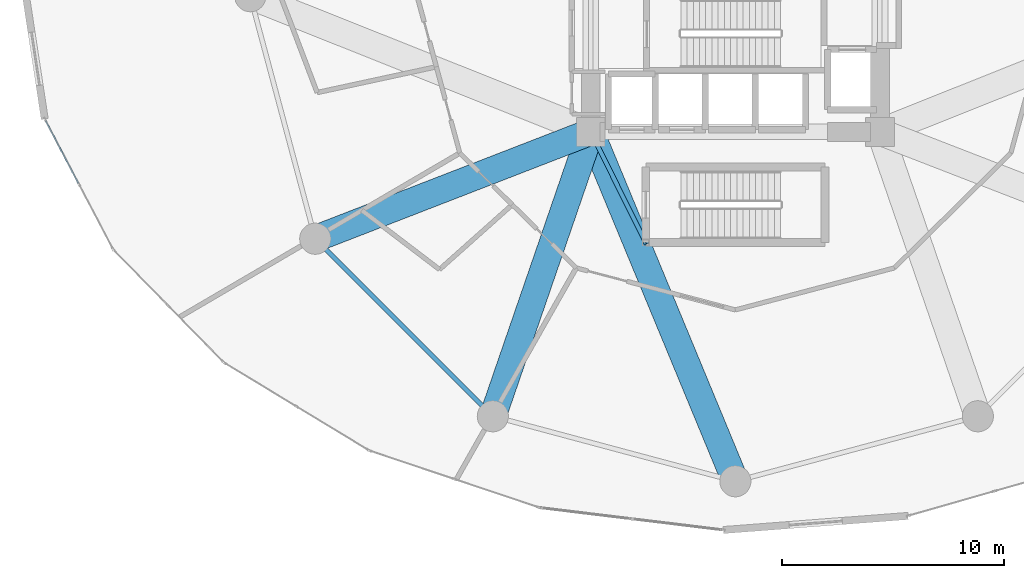
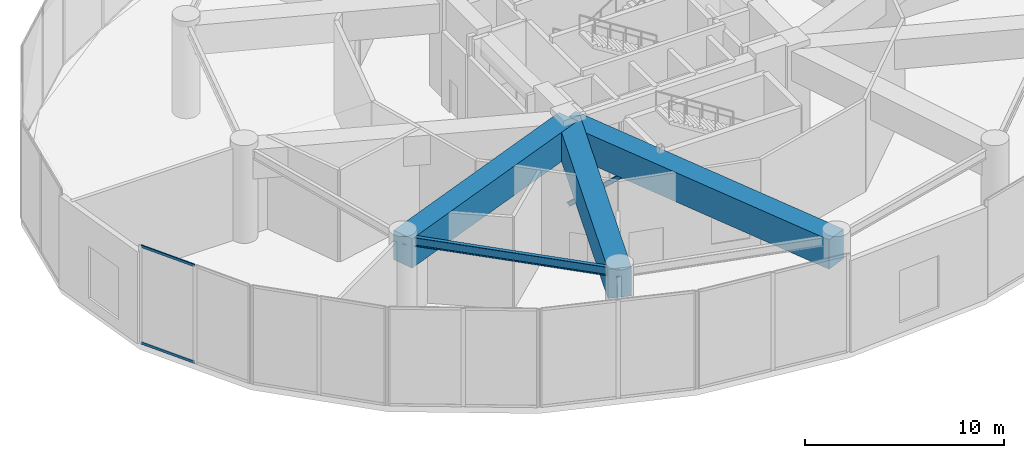
# One storey, part 6 of 28: 4 beams, 3 members, 1 element without a shape of its own.
"""IFC4 building model written with IfcOpenShell, lengths in metres."""

from ifc_helpers import new_model, si_unit, direction, frame, origin, origin_2d, place, context, subcontext, project, spatial, rectangle, hollow_rectangle, i_section, extrude, source, transform, mapped, material, layer, layer_set, material_profile, profile_set, type_object, element, aggregate, save


model = new_model("IFC4")

# Units and contexts
model_context = context("Model", 3, precision=1e-05, world=origin(), true_north=direction((0.0, 1.0)))
body_context = subcontext(model_context, "Body", "Model", "MODEL_VIEW")
ifc_project = project(units=[si_unit("LENGTHUNIT", "METRE"), si_unit("AREAUNIT", "SQUARE_METRE"), si_unit("VOLUMEUNIT", "CUBIC_METRE"), si_unit("PLANEANGLEUNIT", "RADIAN"), si_unit("MASSUNIT", "GRAM", prefix="KILO")], contexts=[model_context])

# Site, building, storey
site_placement = place(None, origin())
site = spatial("IfcSite", under=ifc_project, at=site_placement, CompositionType="ELEMENT")
building_placement = place(site_placement, origin())
building = spatial("IfcBuilding", under=site, at=building_placement, Name="Solvirekh Grand Hotel", CompositionType="ELEMENT")
storey_placement = place(building_placement, frame((0.0, 0.0, 12.60009765625)))
storey = spatial("IfcBuildingStorey", under=building, at=storey_placement, Name="L02", CompositionType="ELEMENT", Elevation=12.60009765625)

# Beam
ifc_material_1 = material(Name="Steel S355", Category="steel")
ifc_material_profile_1 = material_profile(ifc_material_1, i_section(OverallWidth=0.208984375, OverallDepth=0.532958984375, WebThickness=0.010009765625, FlangeThickness=0.014892578125, FilletRadius=0.013916015625, at=origin_2d()), Name="W530X92")
ifc_profile_set_1 = profile_set([ifc_material_profile_1], Name="Steel S355")
beam_type_1 = type_object("IfcBeamType", Name="Spandrel_Ring_W530", PredefinedType="SPANDREL", material=ifc_profile_set_1)
beam_1_placement = place(storey_placement, frame((-18.87890625, -10.89990234375, 5.372802734375), z_axis=(0.707106781187, -0.707106781187, 0.0), x_axis=(0.707106781187, 0.707106781187, 0.0)))
element("IfcBeam", 1, at=beam_1_placement, inside=storey, type_object=beam_type_1, Name="L02 perimeter spandrel beam 8", PredefinedType="SPANDREL", context=body_context, shape_type="SweptSolid", body=[
    extrude(i_section(OverallWidth=0.208984375, OverallDepth=0.532958984375, WebThickness=0.010009765625, FlangeThickness=0.014892578125, FilletRadius=0.013916015625, at=origin_2d()), origin(), (0.0, 0.0, 1.0), 11.283935546875),
])

# Member
ifc_material_profile_2 = material_profile(ifc_material_1, i_section(OverallWidth=0.201904296875, OverallDepth=0.2470703125, WebThickness=0.007080078125, FlangeThickness=0.010986328125, FilletRadius=0.010009765625, at=origin_2d()), Name="W250X49")
ifc_profile_set_2 = profile_set([ifc_material_profile_2], Name="Steel S355")
member_type_1 = type_object("IfcMemberType", Name="Stringer_Feature_W250", PredefinedType="STRINGER", material=ifc_profile_set_2)
member_1_placement = place(storey_placement, frame((-6.5, -6.10009765625, 0.25), z_axis=(0.32523530124, -0.653710764783, 0.683289276101), x_axis=(0.895312965643, 0.445437642719, 0.0)))
element("IfcMember", 2, at=member_1_placement, inside=storey, type_object=member_type_1, Name="L02 podium stair ST-3 steel stringer", PredefinedType="STRINGER", context=body_context, shape_type="SweptSolid", body=[
    extrude(i_section(OverallWidth=0.201904296875, OverallDepth=0.2470703125, WebThickness=0.007080078125, FlangeThickness=0.010986328125, FilletRadius=0.010009765625, at=origin_2d()), origin(), (0.0, 0.0, 1.0), 7.610107421875),
])

# Beams
ifc_material_2 = material(Name="Concrete C60/75", Category="concrete")
ifc_material_profile_3 = material_profile(ifc_material_2, rectangle(XDim=1.199951171875, YDim=1.800048828125, at=origin_2d()), Name="RC GIRDER 1200X1800")
ifc_profile_set_3 = profile_set([ifc_material_profile_3], Name="Concrete C60/75")
beam_type_2 = type_object("IfcBeamType", Name="TransferGirder_RC1800", PredefinedType="USERDEFINED", material=ifc_profile_set_3)
beam_2_placement = place(storey_placement, frame((-6.5, -6.10009765625, 4.739990234375), z_axis=(-0.932365862704, -0.361516110381, 0.0), x_axis=(0.361516110381, -0.932365862704, 0.0)))
element("IfcBeam", 3, at=beam_2_placement, inside=storey, type_object=beam_type_2, Name="L02 radial transfer girder 8", ObjectType="TRANSFER GIRDER", PredefinedType="USERDEFINED", context=body_context, shape_type="SweptSolid", body=[
    extrude(rectangle(XDim=1.199951171875, YDim=1.800048828125, at=origin_2d()), origin(), (0.0, 0.0, 1.0), 13.27685546875),
])
beam_3_placement = place(storey_placement, frame((-6.5, -6.10009765625, 4.739990234375), z_axis=(-0.325555300394, -0.94552300151, 0.0), x_axis=(0.94552300151, -0.325555300394, 0.0)))
element("IfcBeam", 4, at=beam_3_placement, inside=storey, type_object=beam_type_2, Name="L02 radial transfer girder 9", ObjectType="TRANSFER GIRDER", PredefinedType="USERDEFINED", context=body_context, shape_type="SweptSolid", body=[
    extrude(rectangle(XDim=1.199951171875, YDim=1.800048828125, at=origin_2d()), origin(), (0.0, 0.0, 1.0), 13.51513671875),
])
beam_4_placement = place(storey_placement, frame((-6.5, -6.10009765625, 4.739990234375), z_axis=(0.382526065589, -0.923944700264, 0.0), x_axis=(0.923944700264, 0.382526065589, 0.0)))
element("IfcBeam", 5, at=beam_4_placement, inside=storey, type_object=beam_type_2, Name="L02 radial transfer girder 10", ObjectType="TRANSFER GIRDER", PredefinedType="USERDEFINED", context=body_context, shape_type="SweptSolid", body=[
    extrude(rectangle(XDim=1.199951171875, YDim=1.800048828125, at=origin_2d()), origin(), (0.0, 0.0, 1.0), 16.9921875),
])

# Curtain wall, members
ifc_material_3 = material(Name="Anodized Bronze Aluminium 6063-T6", Category="aluminium")
ifc_layer = layer(ifc_material_3, 0.219970703125)
ifc_layer_set = layer_set([ifc_layer], Name="Anodized Bronze Aluminium 6063-T6")
curtain_wall_type = type_object("IfcCurtainWallType", Name="CW_Sys1_PodiumBronzeUnitised", PredefinedType="NOTDEFINED", material=ifc_layer_set)
curtain_wall_placement = place(storey_placement, origin())
curtain_wall = element("IfcCurtainWall", 6, at=curtain_wall_placement, inside=storey, type_object=curtain_wall_type, Name="L02 unitised bronze-glass curtain wall CW-L02-C14", PredefinedType="NOTDEFINED")
ifc_material_profile_4 = material_profile(ifc_material_3, hollow_rectangle(XDim=0.06494140625, YDim=0.14990234375, WallThickness=0.0048828125, at=origin_2d()), Name="ALU RHS 150X65X5")
ifc_profile_set_4 = profile_set([ifc_material_profile_4], Name="Anodized Bronze Aluminium 6063-T6")
member_type_2 = type_object("IfcMemberType", Name="CWTransom_Sys1", PredefinedType="USERDEFINED", material=ifc_profile_set_4)
shared_shape = source(origin(), body_context, "Body", "SweptSolid", [
    extrude(hollow_rectangle(XDim=0.06494140625, YDim=0.14990234375, WallThickness=0.0048828125, at=origin_2d()), origin(), (0.0, 0.0, 1.0), 3.193603515625),
])
member_2_placement = place(storey_placement, frame((-31.006103515625, -5.58642578125, 0.032470703125), z_axis=(0.463801310978, -0.88593924393, 0.0), x_axis=(0.88593924393, 0.463801310978, 0.0)))
member_2 = element("IfcMember", 7, at=member_2_placement, type_object=member_type_2, Name="U01 transom 1.1", ObjectType="TRANSOM", PredefinedType="USERDEFINED", context=body_context, shape_type="MappedRepresentation", body=[
    mapped(shared_shape, transform((0.0, 0.0, 0.0), x_axis=(1.0, 0.0, 0.0), y_axis=(0.0, 1.0, 0.0), z_axis=(0.0, 0.0, 1.0), scale=1.0)),
])
member_3_placement = place(storey_placement, frame((-31.006103515625, -5.58642578125, 5.96728515625), z_axis=(0.463801310978, -0.88593924393, 0.0), x_axis=(0.88593924393, 0.463801310978, 0.0)))
member_3 = element("IfcMember", 8, at=member_3_placement, type_object=member_type_2, Name="U01 transom 1.2", ObjectType="TRANSOM", PredefinedType="USERDEFINED", context=body_context, shape_type="MappedRepresentation", body=[
    mapped(shared_shape, transform((0.0, 0.0, 0.0), x_axis=(1.0, 0.0, 0.0), y_axis=(0.0, 1.0, 0.0), z_axis=(0.0, 0.0, 1.0), scale=1.0)),
])
aggregate(curtain_wall, [member_2, member_3])

save(model, "model.ifc")
